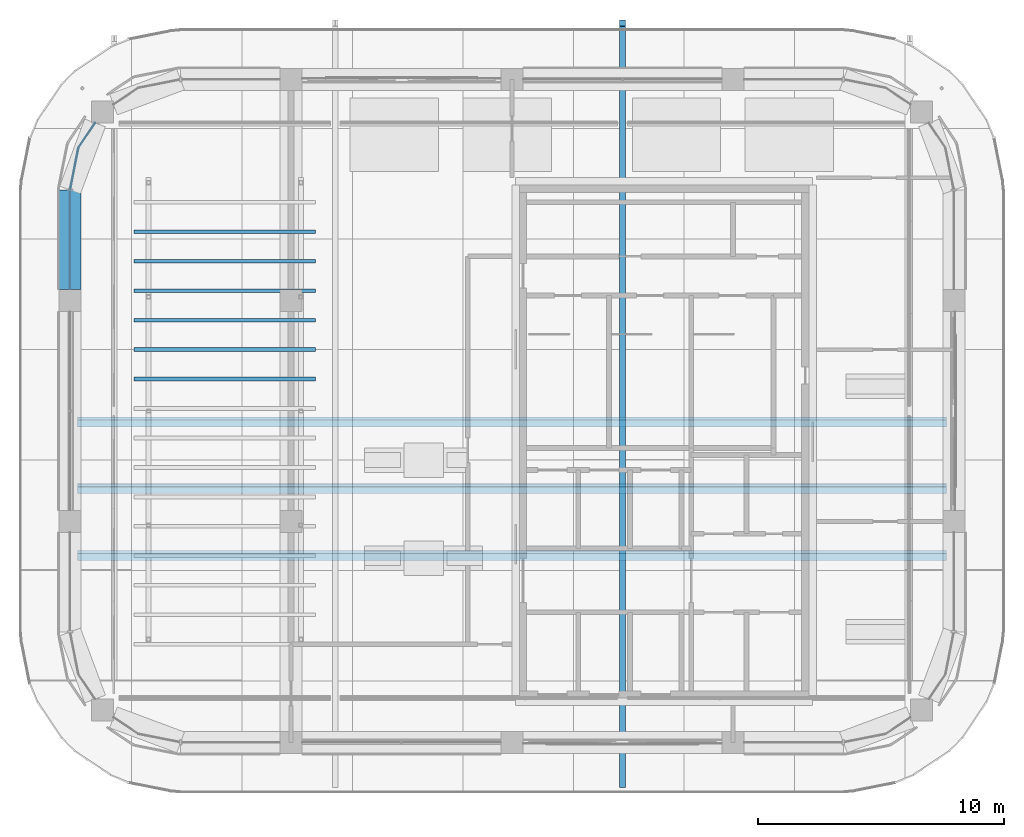
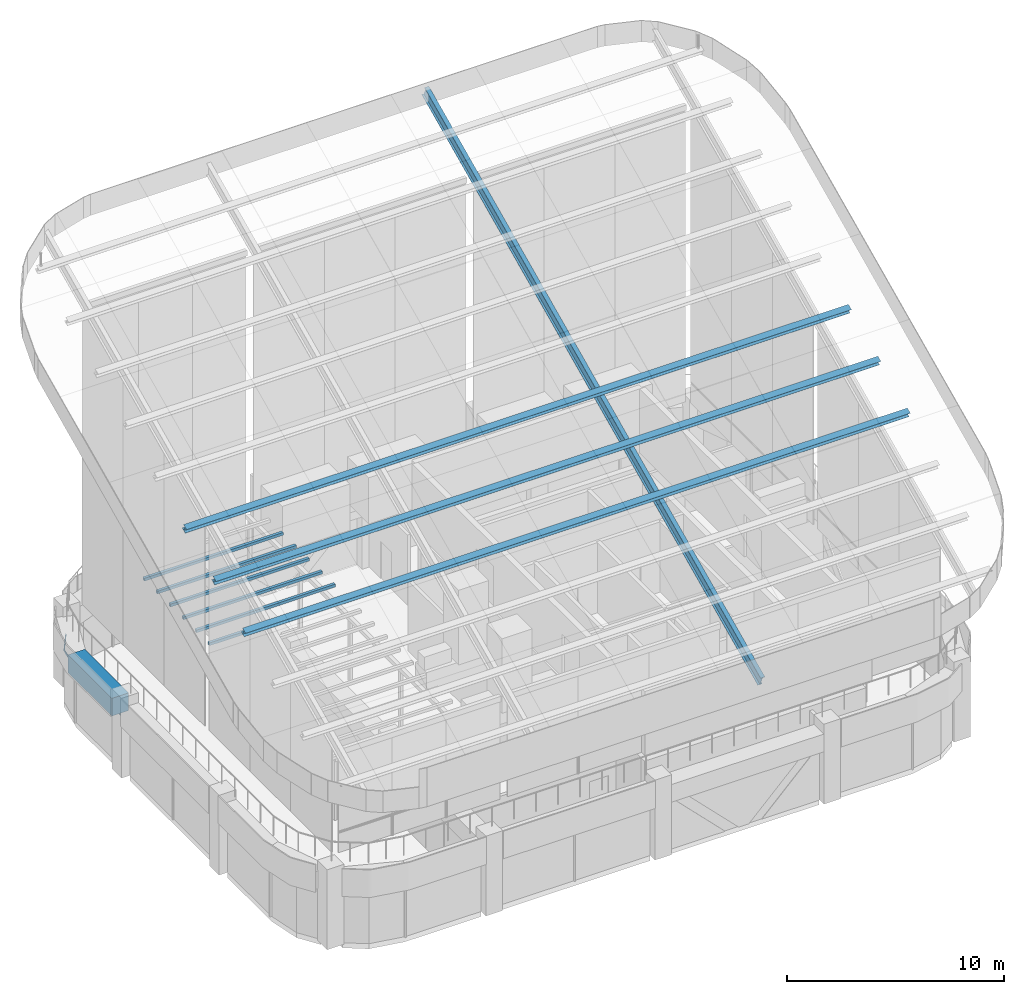
# One storey, part 14 of 31: 11 members, 1 beam, 1 element without a shape of its own.
"""IFC4 building model written with IfcOpenShell, lengths in metres."""

from ifc_helpers import new_model, si_unit, direction, frame, origin, origin_2d, place, context, subcontext, project, spatial, polyline, rectangle, hollow_rectangle, i_section, outline, extrude, material, material_profile, profile_set, type_object, element, aggregate, save


model = new_model("IFC4")

# Units and contexts
model_context = context("Model", 3, precision=1e-05, world=origin(), true_north=direction((0.0, 1.0)))
body_context = subcontext(model_context, "Body", "Model", "MODEL_VIEW")
ifc_project = project(units=[si_unit("LENGTHUNIT", "METRE"), si_unit("AREAUNIT", "SQUARE_METRE"), si_unit("VOLUMEUNIT", "CUBIC_METRE"), si_unit("PLANEANGLEUNIT", "RADIAN"), si_unit("MASSUNIT", "GRAM", prefix="KILO")], contexts=[model_context])

# Site, building, storey
site_placement = place(None, origin())
site = spatial("IfcSite", under=ifc_project, at=site_placement, CompositionType="ELEMENT")
building_placement = place(site_placement, origin())
building = spatial("IfcBuilding", under=site, at=building_placement, Name="Tessera Arch", CompositionType="ELEMENT")
storey_placement = place(building_placement, frame((0.0, 0.0, 320.699951171875)))
storey = spatial("IfcBuildingStorey", under=building, at=storey_placement, Name="L77", CompositionType="ELEMENT", Elevation=320.699951171875)

# Curtain wall, member
ifc_material_1 = material(Name="CW2 curtain wall")
curtain_wall_type = type_object("IfcCurtainWallType", Name="CW2 curtain wall", PredefinedType="NOTDEFINED", material=ifc_material_1)
curtain_wall_placement = place(storey_placement, origin())
curtain_wall = element("IfcCurtainWall", 1, at=curtain_wall_placement, inside=storey, type_object=curtain_wall_type, Name="CW2 curtain wall W18.27/0 L77", PredefinedType="NOTDEFINED")
ifc_material_2 = material(Name="Anodised aluminium pale metal", Category="aluminium")
ifc_material_profile_1 = material_profile(ifc_material_2, rectangle(XDim=0.199951171875, YDim=0.10009765625, at=origin_2d()), Name="AL 200x100")
ifc_profile_set_1 = profile_set([ifc_material_profile_1], Name="Anodised aluminium pale metal")
member_type_1 = type_object("IfcMemberType", Name="CW2 transom", PredefinedType="USERDEFINED", material=ifc_profile_set_1)
member_1_placement = place(storey_placement, frame((0.0, 0.0, 2.85009765625)))
member_1 = element("IfcMember", 2, at=member_1_placement, type_object=member_type_1, Name="CW2 transom W18.27/0 1", ObjectType="TRANSOM", PredefinedType="USERDEFINED", context=body_context, shape_type="SweptSolid", body=[
    extrude(outline(polyline([(18.351806640625, 51.21826171875), (19.025634765625, 52.2265625), (19.009033203125, 52.237548828125), (18.3330078125, 51.22607421875), (17.989990234375, 49.5009765625), (17.989990234375, 45.449951171875), (18.010009765625, 45.449951171875), (18.010009765625, 49.4990234375), (18.351806640625, 51.21826171875)])), origin(), (0.0, 0.0, 1.0), 0.099853515625),
])
aggregate(curtain_wall, [member_1])

# Members
ifc_material_3 = material(Name="Steel A992 Gr50", Category="steel")
ifc_material_profile_2 = material_profile(ifc_material_3, i_section(OverallWidth=0.3046875, OverallDepth=0.307861328125, WebThickness=0.010009765625, FlangeThickness=0.015380859375, at=origin_2d()), Name="W12x65")
ifc_profile_set_2 = profile_set([ifc_material_profile_2], Name="Steel A992 Gr50")
member_type_2 = type_object("IfcMemberType", Name="Canopy purlin W12x65", PredefinedType="PURLIN", material=ifc_profile_set_2)
for number, where, z_axis, x_axis, name in (
    (3, (18.300048828125, 34.614990234375, 13.969970703125), (1.0, 0.0, 0.0), (0.0, 0.906307787037, 0.422618261741), "Canopy purlin 4"),
    (4, (18.300048828125, 37.333984375, 15.23779296875), (1.0, 0.0, 0.0), (0.0, 0.906307787037, 0.422618261741), "Canopy purlin 5"),
    (5, (18.300048828125, 40.052978515625, 16.505615234375), (1.0, 0.0, 0.0), (0.0, 0.906307787037, 0.422618261741), "Canopy purlin 6"),
):
    element("IfcMember", number, at=place(storey_placement, frame(where, z_axis=z_axis, x_axis=x_axis)), inside=storey, type_object=member_type_2, Name=name, PredefinedType="PURLIN", context=body_context, shape_type="SweptSolid", body=[
        extrude(i_section(OverallWidth=0.3046875, OverallDepth=0.307861328125, WebThickness=0.010009765625, FlangeThickness=0.015380859375, at=origin_2d()), origin(), (0.0, 0.0, 1.0), 35.39990234375),
    ])
ifc_material_4 = material(Name="Steel A992 Gr50", Category="steel")
ifc_material_profile_3 = material_profile(ifc_material_4, i_section(OverallWidth=0.230224609375, OverallDepth=0.617431640625, WebThickness=0.01318359375, FlangeThickness=0.022216796875, at=origin_2d()), Name="W24x94")
ifc_profile_set_3 = profile_set([ifc_material_profile_3], Name="Steel A992 Gr50")
member_type_3 = type_object("IfcMemberType", Name="Canopy rib W24x94", PredefinedType="RAFTER", material=ifc_profile_set_3)
member_2_placement = place(storey_placement, frame((40.5, 25.29443359375, 9.11328125), z_axis=(0.0, 0.906307462258, 0.422618958231), x_axis=(-1.0, 0.0, 0.0)))
element("IfcMember", 6, at=member_2_placement, inside=storey, type_object=member_type_3, Name="Canopy rib 3", PredefinedType="RAFTER", context=body_context, shape_type="SweptSolid", body=[
    extrude(i_section(OverallWidth=0.230224609375, OverallDepth=0.617431640625, WebThickness=0.01318359375, FlangeThickness=0.022216796875, at=origin_2d()), origin(), (0.0, 0.0, 1.0), 34.204833984375),
])
ifc_material_5 = material(Name="Steel A500 Gr C", Category="steel")
ifc_material_profile_4 = material_profile(ifc_material_5, hollow_rectangle(XDim=0.15234375, YDim=0.15234375, WallThickness=0.005859375, at=origin_2d()), Name="HSS6x6x1/4")
ifc_profile_set_4 = profile_set([ifc_material_profile_4], Name="Steel A500 Gr C")
member_type_4 = type_object("IfcMemberType", Name="Pergola rafter HSS6x6x1/4", PredefinedType="RAFTER", material=ifc_profile_set_4)
for number, where, z_axis, x_axis, name in (
    (7, (20.60009765625, 41.800048828125, 8.179443359375), (1.0, 0.0, 0.0), (0.0, 1.0, 0.0), "Pergola rafter 10"),
    (8, (20.60009765625, 43.0, 8.179443359375), (1.0, 0.0, 0.0), (0.0, 1.0, 0.0), "Pergola rafter 11"),
    (9, (20.60009765625, 44.199951171875, 8.179443359375), (1.0, 0.0, 0.0), (0.0, 1.0, 0.0), "Pergola rafter 12"),
    (10, (20.60009765625, 45.39990234375, 8.179443359375), (1.0, 0.0, 0.0), (0.0, 1.0, 0.0), "Pergola rafter 13"),
    (11, (20.60009765625, 46.60009765625, 8.179443359375), (1.0, 0.0, 0.0), (0.0, 1.0, 0.0), "Pergola rafter 14"),
    (12, (20.60009765625, 47.800048828125, 8.179443359375), (1.0, 0.0, 0.0), (0.0, 1.0, 0.0), "Pergola rafter 15"),
):
    element("IfcMember", number, at=place(storey_placement, frame(where, z_axis=z_axis, x_axis=x_axis)), inside=storey, type_object=member_type_4, Name=name, PredefinedType="RAFTER", context=body_context, shape_type="SweptSolid", body=[
        extrude(hollow_rectangle(XDim=0.15234375, YDim=0.15234375, WallThickness=0.005859375, at=origin_2d()), origin(), (0.0, 0.0, 1.0), 7.39990234375),
    ])

# Beam
ifc_material_6 = material(Name="Concrete C50/60", Category="concrete")
ifc_material_profile_5 = material_profile(ifc_material_6, rectangle(XDim=0.89990234375, YDim=1.0, at=origin_2d()), Name="RC spandrel beam 900 x 1000 Concrete C50/60")
ifc_profile_set_5 = profile_set([ifc_material_profile_5], Name="Concrete C50/60")
beam_type = type_object("IfcBeamType", Name="RC spandrel beam 900 x 1000 Concrete C50/60", PredefinedType="BEAM", material=ifc_profile_set_5)
beam_placement = place(storey_placement, frame((18.0, 49.5, 3.449951171875), z_axis=(0.0, -1.0, 0.0), x_axis=(1.0, 0.0, 0.0)))
element("IfcBeam", 13, at=beam_placement, inside=storey, type_object=beam_type, Name="Spandrel beam L77 W18.27/0.2", PredefinedType="BEAM", context=body_context, shape_type="SweptSolid", body=[
    extrude(rectangle(XDim=0.89990234375, YDim=1.0, at=origin_2d()), origin(), (0.0, 0.0, 1.0), 4.050048828125),
])

save(model, "model.ifc")
